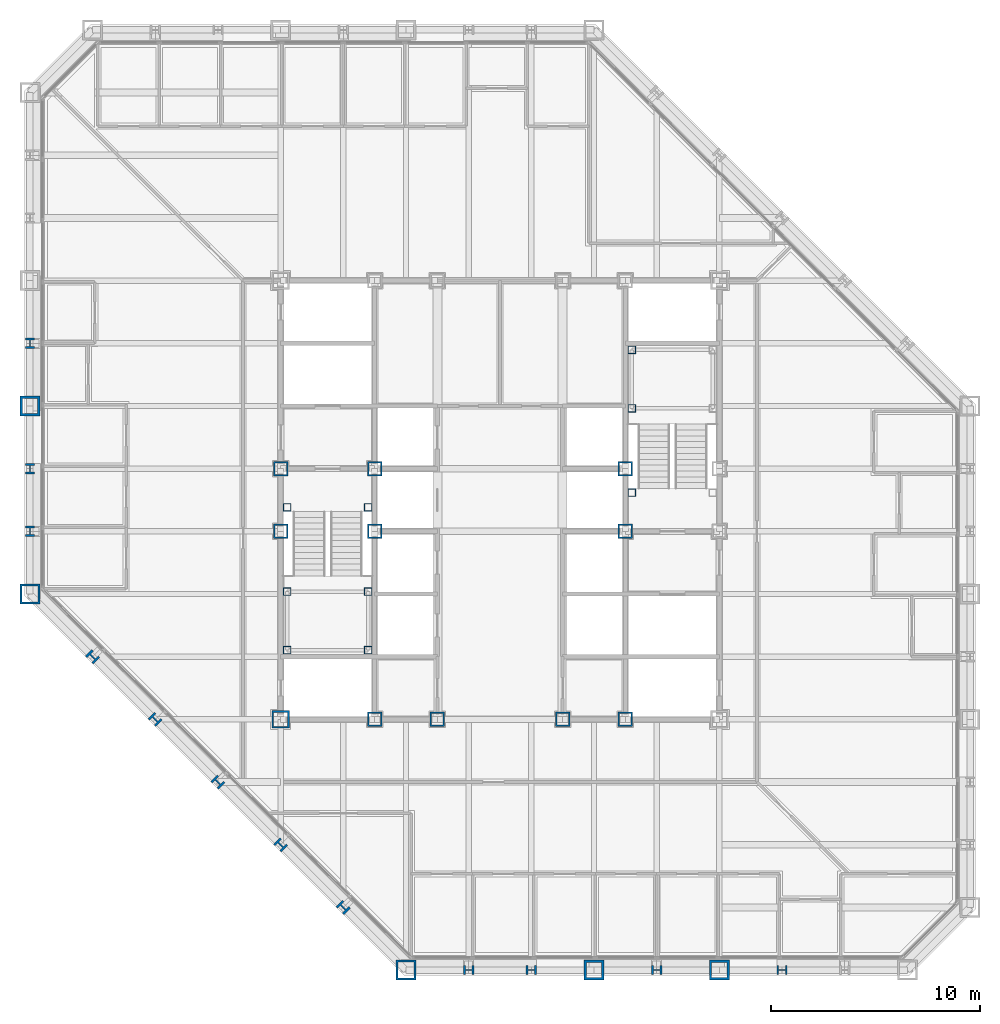
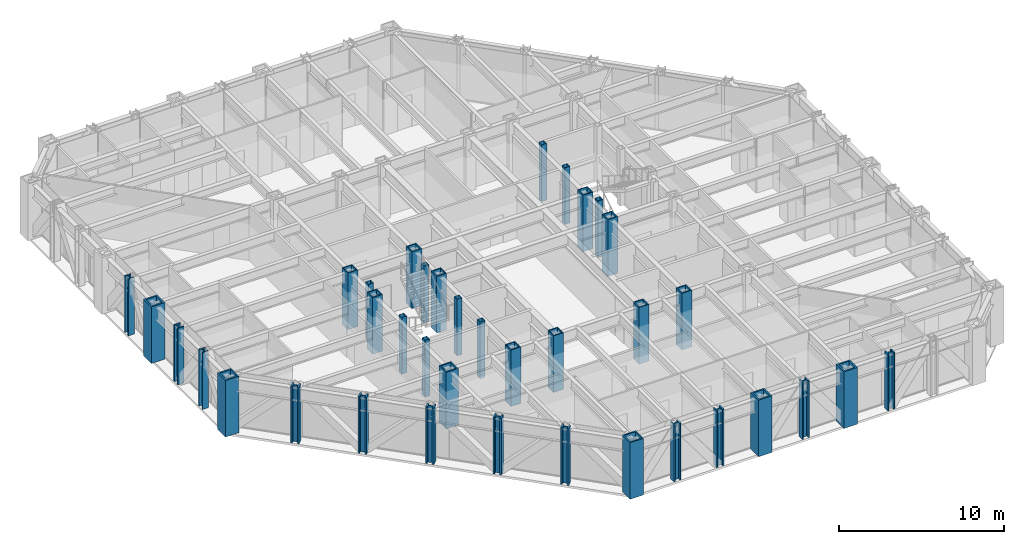
# One storey, part 1 of 17: 37 columns.
"""IFC4 building model written with IfcOpenShell, lengths in metres."""

from ifc_helpers import new_model, si_unit, direction, frame, origin, origin_2d, place, context, subcontext, project, spatial, hollow_rectangle, i_section, extrude, material, material_profile, profile_set, type_object, element, save


model = new_model("IFC4")

# Units and contexts
model_context = context("Model", 3, precision=1e-05, world=origin(), true_north=direction((0.0, 1.0)))
body_context = subcontext(model_context, "Body", "Model", "MODEL_VIEW")
ifc_project = project(units=[si_unit("LENGTHUNIT", "METRE"), si_unit("AREAUNIT", "SQUARE_METRE"), si_unit("VOLUMEUNIT", "CUBIC_METRE"), si_unit("PLANEANGLEUNIT", "RADIAN"), si_unit("MASSUNIT", "GRAM", prefix="KILO")], contexts=[model_context])

# Site, building, storey
site_placement = place(None, origin())
site = spatial("IfcSite", under=ifc_project, at=site_placement, CompositionType="ELEMENT")
building_placement = place(site_placement, origin())
building = spatial("IfcBuilding", under=site, at=building_placement, Name="Chuquiago Exchange Tower", CompositionType="ELEMENT")
storey_placement = place(building_placement, frame((0.0, 0.0, 136.199951171875)))
storey = spatial("IfcBuildingStorey", under=building, at=storey_placement, Name="L29", CompositionType="ELEMENT", Elevation=136.199951171875)

# Columns
ifc_material_1 = material(Name="Steel ASTM A992", Category="steel")
ifc_material_profile_1 = material_profile(ifc_material_1, i_section(OverallWidth=0.431884765625, OverallDepth=0.497802734375, WebThickness=0.0556640625, FlangeThickness=0.0888671875, at=origin_2d()), Name="W14X500")
ifc_profile_set_1 = profile_set([ifc_material_profile_1], Name="Steel ASTM A992")
column_type_1 = type_object("IfcColumnType", Name="C3 W14X500", PredefinedType="COLUMN", material=ifc_profile_set_1)
for number, where, z_axis, x_axis, name in (
    (1, (21.0, 0.0, 0.0), (0.0, 0.0, 1.0), (0.0, -1.0, 0.0), "COL-L29-21_0"),
    (2, (24.0, 0.0, 0.0), (0.0, 0.0, 1.0), (0.0, -1.0, 0.0), "COL-L29-24_0"),
    (3, (30.0, 0.0, 0.0), (0.0, 0.0, 1.0), (0.0, -1.0, 0.0), "COL-L29-30_0"),
    (4, (36.0, 0.0, 0.0), (0.0, 0.0, 1.0), (0.0, -1.0, 0.0), "COL-L29-36_0"),
    (5, (0.0, 30.0, 0.0), (0.0, 0.0, 1.0), (-1.0, 0.0, 0.0), "COL-L29-0_30"),
    (6, (0.0, 24.0, 0.0), (0.0, 0.0, 1.0), (-1.0, 0.0, 0.0), "COL-L29-0_24"),
    (7, (0.0, 21.0, 0.0), (0.0, 0.0, 1.0), (-1.0, 0.0, 0.0), "COL-L29-0_21"),
):
    element("IfcColumn", number, at=place(storey_placement, frame(where, z_axis=z_axis, x_axis=x_axis)), inside=storey, type_object=column_type_1, Name=name, PredefinedType="COLUMN", context=body_context, shape_type="SweptSolid", body=[
        extrude(i_section(OverallWidth=0.431884765625, OverallDepth=0.497802734375, WebThickness=0.0556640625, FlangeThickness=0.0888671875, at=origin_2d()), origin(), (0.0, 0.0, 1.0), 4.199951171875),
    ])
ifc_material_2 = material(Name="Steel ASTM A572 Grade 50", Category="steel")
ifc_material_profile_2 = material_profile(ifc_material_2, hollow_rectangle(XDim=0.699951171875, YDim=0.699951171875, WallThickness=0.070068359375, at=origin_2d()), Name="BOX700X700X70")
ifc_profile_set_2 = profile_set([ifc_material_profile_2], Name="Steel ASTM A572 Grade 50")
column_type_2 = type_object("IfcColumnType", Name="CC3 BOX700X700X70", PredefinedType="COLUMN", material=ifc_profile_set_2)
for number, where, z_axis, x_axis, name in (
    (8, (16.5, 12.0, 0.0), (0.0, 0.0, 1.0), (1.0, 0.0, 0.0), "CCOL-L29-16.5_12"),
    (9, (19.5, 12.0, 0.0), (0.0, 0.0, 1.0), (1.0, 0.0, 0.0), "CCOL-L29-19.5_12"),
    (10, (25.5, 12.0, 0.0), (0.0, 0.0, 1.0), (1.0, 0.0, 0.0), "CCOL-L29-25.5_12"),
    (11, (28.5, 12.0, 0.0), (0.0, 0.0, 1.0), (1.0, 0.0, 0.0), "CCOL-L29-28.5_12"),
    (12, (12.0, 21.0, 0.0), (0.0, 0.0, 1.0), (1.0, 0.0, 0.0), "CCOL-L29-12_21"),
    (13, (12.0, 24.0, 0.0), (0.0, 0.0, 1.0), (1.0, 0.0, 0.0), "CCOL-L29-12_24"),
    (14, (16.5, 21.0, 0.0), (0.0, 0.0, 1.0), (1.0, 0.0, 0.0), "CCOL-L29-16.5_21"),
    (15, (16.5, 24.0, 0.0), (0.0, 0.0, 1.0), (1.0, 0.0, 0.0), "CCOL-L29-16.5_24"),
    (16, (28.5, 21.0, 0.0), (0.0, 0.0, 1.0), (1.0, 0.0, 0.0), "CCOL-L29-28.5_21"),
    (17, (28.5, 24.0, 0.0), (0.0, 0.0, 1.0), (1.0, 0.0, 0.0), "CCOL-L29-28.5_24"),
):
    element("IfcColumn", number, at=place(storey_placement, frame(where, z_axis=z_axis, x_axis=x_axis)), inside=storey, type_object=column_type_2, Name=name, PredefinedType="COLUMN", context=body_context, shape_type="SweptSolid", body=[
        extrude(hollow_rectangle(XDim=0.699951171875, YDim=0.699951171875, WallThickness=0.070068359375, at=origin_2d()), origin(), (0.0, 0.0, 1.0), 4.199951171875),
    ])
ifc_material_3 = material(Name="Steel ASTM A572 Grade 50", Category="steel")
ifc_material_profile_3 = material_profile(ifc_material_3, hollow_rectangle(XDim=0.85009765625, YDim=0.85009765625, WallThickness=0.0849609375, at=origin_2d()), Name="BOX850X850X85")
ifc_profile_set_3 = profile_set([ifc_material_profile_3], Name="Steel ASTM A572 Grade 50")
column_type_3 = type_object("IfcColumnType", Name="CC6 BOX850X850X85", PredefinedType="COLUMN", material=ifc_profile_set_3)
column_placement = place(storey_placement, frame((12.0, 12.0, 0.0), z_axis=(0.0, 0.0, 1.0), x_axis=(1.0, 0.0, 0.0)))
element("IfcColumn", 18, at=column_placement, inside=storey, type_object=column_type_3, Name="CCOL-L29-12_12", PredefinedType="COLUMN", context=body_context, shape_type="SweptSolid", body=[
    extrude(hollow_rectangle(XDim=0.85009765625, YDim=0.85009765625, WallThickness=0.0849609375, at=origin_2d()), origin(), (0.0, 0.0, 1.0), 4.199951171875),
])
ifc_material_4 = material(Name="Steel ASTM A992", Category="steel")
ifc_material_profile_4 = material_profile(ifc_material_4, i_section(OverallWidth=0.44189453125, OverallDepth=0.53076171875, WebThickness=0.06591796875, FlangeThickness=0.105712890625, at=origin_2d()), Name="W14X605")
ifc_profile_set_4 = profile_set([ifc_material_profile_4], Name="Steel ASTM A992")
column_type_4 = type_object("IfcColumnType", Name="CK3 W14X605", PredefinedType="COLUMN", material=ifc_profile_set_4)
for number, where, z_axis, x_axis, name in (
    (19, (3.0, 15.0, 0.0), (0.0, 0.0, 1.0), (-0.707106781187, -0.707106781187, 0.0), "COL-L29-3_15"),
    (20, (6.0, 12.0, 0.0), (0.0, 0.0, 1.0), (-0.707106781187, -0.707106781187, 0.0), "COL-L29-6_12"),
    (21, (9.0, 9.0, 0.0), (0.0, 0.0, 1.0), (-0.707106781187, -0.707106781187, 0.0), "COL-L29-9_9"),
    (22, (12.0, 6.0, 0.0), (0.0, 0.0, 1.0), (-0.707106781187, -0.707106781187, 0.0), "COL-L29-12_6"),
    (23, (15.0, 3.0, 0.0), (0.0, 0.0, 1.0), (-0.707106781187, -0.707106781187, 0.0), "COL-L29-15_3"),
):
    element("IfcColumn", number, at=place(storey_placement, frame(where, z_axis=z_axis, x_axis=x_axis)), inside=storey, type_object=column_type_4, Name=name, PredefinedType="COLUMN", context=body_context, shape_type="SweptSolid", body=[
        extrude(i_section(OverallWidth=0.44189453125, OverallDepth=0.53076171875, WebThickness=0.06591796875, FlangeThickness=0.105712890625, at=origin_2d()), origin(), (0.0, 0.0, 1.0), 4.199951171875),
    ])
ifc_material_5 = material(Name="Steel ASTM A572 Grade 50", Category="steel")
ifc_material_profile_5 = material_profile(ifc_material_5, hollow_rectangle(XDim=0.949951171875, YDim=0.949951171875, WallThickness=0.094970703125, at=origin_2d()), Name="BOX950X950X95")
ifc_profile_set_5 = profile_set([ifc_material_profile_5], Name="Steel ASTM A572 Grade 50")
column_type_5 = type_object("IfcColumnType", Name="CN1 BOX950X950X95", PredefinedType="COLUMN", material=ifc_profile_set_5)
for number, where, z_axis, x_axis, name in (
    (24, (18.0, 0.0, 0.0), (0.0, 0.0, 1.0), (0.0, -1.0, 0.0), "COL-L29-18_0"),
    (25, (0.0, 18.0, 0.0), (0.0, 0.0, 1.0), (-1.0, 0.0, 0.0), "COL-L29-0_18"),
):
    element("IfcColumn", number, at=place(storey_placement, frame(where, z_axis=z_axis, x_axis=x_axis)), inside=storey, type_object=column_type_5, Name=name, PredefinedType="COLUMN", context=body_context, shape_type="SweptSolid", body=[
        extrude(hollow_rectangle(XDim=0.949951171875, YDim=0.949951171875, WallThickness=0.094970703125, at=origin_2d()), origin(), (0.0, 0.0, 1.0), 4.199951171875),
    ])
ifc_material_6 = material(Name="Steel ASTM A572 Grade 42", Category="steel")
ifc_material_profile_6 = material_profile(ifc_material_6, hollow_rectangle(XDim=0.949951171875, YDim=0.949951171875, WallThickness=0.110107421875, at=origin_2d()), Name="BOX950X950X110")
ifc_profile_set_6 = profile_set([ifc_material_profile_6], Name="Steel ASTM A572 Grade 42")
column_type_6 = type_object("IfcColumnType", Name="CT1 BOX950X950X110", PredefinedType="COLUMN", material=ifc_profile_set_6)
for number, where, z_axis, x_axis, name in (
    (26, (27.0, 0.0, 0.0), (0.0, 0.0, 1.0), (0.0, -1.0, 0.0), "COL-L29-27_0"),
    (27, (33.0, 0.0, 0.0), (0.0, 0.0, 1.0), (0.0, -1.0, 0.0), "COL-L29-33_0"),
    (28, (0.0, 27.0, 0.0), (0.0, 0.0, 1.0), (-1.0, 0.0, 0.0), "COL-L29-0_27"),
):
    element("IfcColumn", number, at=place(storey_placement, frame(where, z_axis=z_axis, x_axis=x_axis)), inside=storey, type_object=column_type_6, Name=name, PredefinedType="COLUMN", context=body_context, shape_type="SweptSolid", body=[
        extrude(hollow_rectangle(XDim=0.949951171875, YDim=0.949951171875, WallThickness=0.110107421875, at=origin_2d()), origin(), (0.0, 0.0, 1.0), 4.199951171875),
    ])
ifc_material_7 = material(Name="Steel ASTM A500 Grade C", Category="steel")
ifc_material_profile_7 = material_profile(ifc_material_7, hollow_rectangle(XDim=0.355712890625, YDim=0.355712890625, WallThickness=0.0146484375, at=origin_2d()), Name="HSS14X14X5/8")
ifc_profile_set_7 = profile_set([ifc_material_profile_7], Name="Steel ASTM A500 Grade C")
column_type_7 = type_object("IfcColumnType", Name="PT2 HSS14X14X5/8", PredefinedType="COLUMN", material=ifc_profile_set_7)
for number, where, z_axis, x_axis, name in (
    (29, (12.31005859375, 15.31005859375, 0.0), (0.0, 0.0, 1.0), (1.0, 0.0, 0.0), "Stair ST1 L29 landing post"),
    (30, (16.18994140625, 15.31005859375, 0.0), (0.0, 0.0, 1.0), (1.0, 0.0, 0.0), "Stair ST1 L29 landing post"),
    (31, (12.31005859375, 18.110107421875, 0.0), (0.0, 0.0, 1.0), (1.0, 0.0, 0.0), "Stair ST1 L29 landing post"),
    (32, (16.18994140625, 18.110107421875, 0.0), (0.0, 0.0, 1.0), (1.0, 0.0, 0.0), "Stair ST1 L29 landing post"),
    (33, (12.31005859375, 22.14990234375, 0.0), (0.0, 0.0, 1.0), (1.0, 0.0, 0.0), "Stair ST1 L29 landing post"),
    (34, (16.18994140625, 22.14990234375, 0.0), (0.0, 0.0, 1.0), (1.0, 0.0, 0.0), "Stair ST1 L29 landing post"),
    (35, (28.81005859375, 29.68994140625, 0.0), (0.0, 0.0, 1.0), (1.0, 0.0, 0.0), "Stair ST2 L29 landing post"),
    (36, (28.81005859375, 26.889892578125, 0.0), (0.0, 0.0, 1.0), (1.0, 0.0, 0.0), "Stair ST2 L29 landing post"),
    (37, (28.81005859375, 22.85009765625, 0.0), (0.0, 0.0, 1.0), (1.0, 0.0, 0.0), "Stair ST2 L29 landing post"),
):
    element("IfcColumn", number, at=place(storey_placement, frame(where, z_axis=z_axis, x_axis=x_axis)), inside=storey, type_object=column_type_7, Name=name, PredefinedType="COLUMN", context=body_context, shape_type="SweptSolid", body=[
        extrude(hollow_rectangle(XDim=0.355712890625, YDim=0.355712890625, WallThickness=0.0146484375, at=origin_2d()), origin(), (0.0, 0.0, 1.0), 4.199951171875),
    ])

save(model, "model.ifc")
